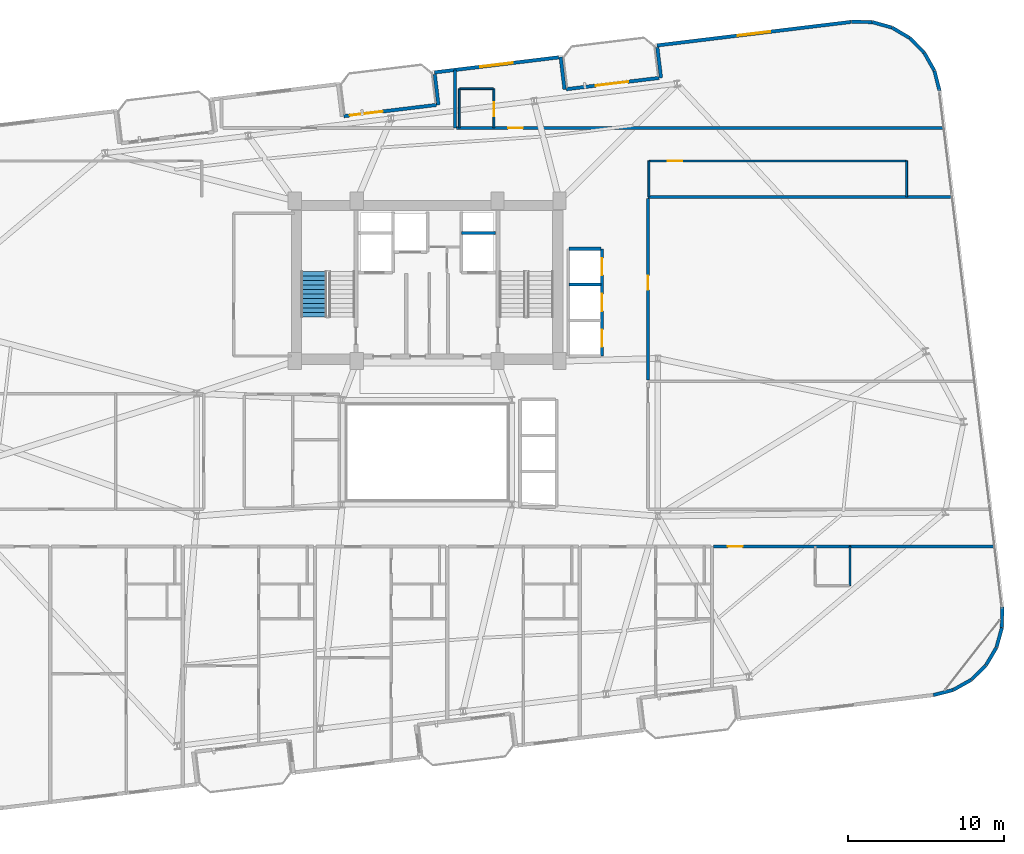
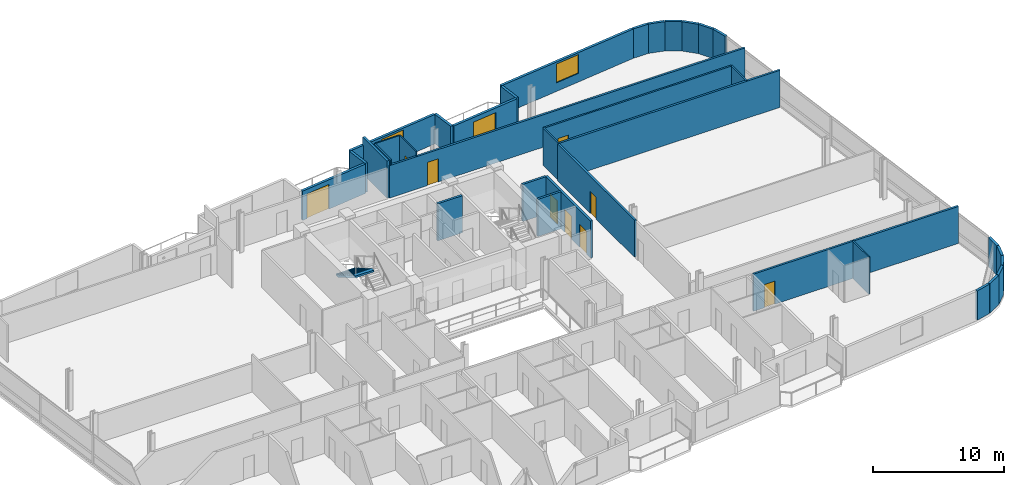
# One storey, part 19 of 24: 35 walls, 10 doors, 2 windows, 1 stair flight, 12 openings, 1 element without a shape of its own.
"""IFC4 building model written with IfcOpenShell, lengths in metres."""

from ifc_helpers import new_model, si_unit, direction, frame, frame_2d, origin, place, context, subcontext, project, spatial, polyline, rectangle, outline, extrude, material, layer, layer_set, type_object, element, fill, aggregate, save


model = new_model("IFC4")

# Units and contexts
model_context = context("Model", 3, precision=1e-05, world=origin(), true_north=direction((0.0, 1.0)))
body_context = subcontext(model_context, "Body", "Model", "MODEL_VIEW")
ifc_project = project(units=[si_unit("LENGTHUNIT", "METRE"), si_unit("AREAUNIT", "SQUARE_METRE"), si_unit("VOLUMEUNIT", "CUBIC_METRE"), si_unit("PLANEANGLEUNIT", "RADIAN"), si_unit("MASSUNIT", "GRAM", prefix="KILO")], contexts=[model_context])

# Site, building, storey
site_placement = place(None, origin())
site = spatial("IfcSite", under=ifc_project, at=site_placement, CompositionType="ELEMENT")
building_placement = place(site_placement, origin())
building = spatial("IfcBuilding", under=site, at=building_placement, Name="Varnelok Gate Tower", CompositionType="ELEMENT")
storey_placement = place(building_placement, frame((0.0, 0.0, 196.800048828125)))
storey = spatial("IfcBuildingStorey", under=building, at=storey_placement, Name="L50", CompositionType="ELEMENT", Elevation=196.800048828125)

# Wall, opening, door
ifc_material_1 = material(Name="Concrete C45/55", Category="concrete")
ifc_layer_1 = layer(ifc_material_1, 0.219970703125)
ifc_layer_set_1 = layer_set([ifc_layer_1], Name="Concrete C45/55")
wall_type_1 = type_object("IfcWallType", Name="EW-BALC-220", PredefinedType="SOLIDWALL", material=ifc_layer_set_1)
wall_1_placement = place(storey_placement, frame((33.852294921875, 44.48583984375, 0.0), z_axis=(0.0, 0.0, 1.0), x_axis=(0.992729951822, 0.120362962556, 0.0)))
wall_1 = element("IfcWall", 1, at=wall_1_placement, inside=storey, type_object=wall_type_1, Name="L50 North Terrace Envelope Wall 5", PredefinedType="SOLIDWALL", context=body_context, shape_type="SweptSolid", body=[
    extrude(rectangle(XDim=6.0, YDim=0.219970703125, at=frame_2d((3.0, 0.0))), origin(), (0.0, 0.0, 1.0), 2.72998046875),
])
opening_1_placement = place(wall_1_placement, frame((0.39990234375, 0.0, 0.0)))
opening_1 = element("IfcOpeningElement", 2, at=opening_1_placement, cuts=wall_1, Name="Opening BD-2", PredefinedType="OPENING", context=body_context, shape_type="SweptSolid", body=[
    extrude(rectangle(XDim=2.10009765625, YDim=2.300048828125, at=frame_2d((1.050048828125, 1.14990234375))), frame((0.0, 0.119873046875, 0.0), z_axis=(0.0, -1.0, 0.0), x_axis=(1.0, 0.0, 0.0)), (0.0, 0.0, 1.0), 0.239990234375),
])
ifc_material_2 = material(Name="Anodized Aluminum Alloy 6063-T6", Category="aluminium")
door_type_1 = type_object("IfcDoorType", Name="DR-EXT-SLID2100", OperationType="SLIDING_TO_LEFT", PredefinedType="DOOR", material=ifc_material_2)
door_1_placement = place(opening_1_placement, origin())
door_1 = element("IfcDoor", 3, at=door_1_placement, inside=storey, type_object=door_type_1, Name="L50 North Balcony Glazed Door 5", OperationType="SLIDING_TO_LEFT", OverallHeight=2.300048828125, OverallWidth=2.10009765625, PredefinedType="DOOR", context=body_context, shape_type="SweptSolid", body=[
    extrude(rectangle(XDim=2.10009765625, YDim=2.300048828125, at=frame_2d((1.050048828125, 1.14990234375))), frame((0.0, 0.02490234375, 0.0), z_axis=(0.0, -1.0, 0.0), x_axis=(1.0, 0.0, 0.0)), (0.0, 0.0, 1.0), 0.050048828125),
])
fill(opening_1, door_1)

wall_2_placement = place(storey_placement, frame((48.147705078125, 46.21875, 0.0), z_axis=(0.0, 0.0, 1.0), x_axis=(0.992729951822, 0.120362962556, 0.0)))
wall_2 = element("IfcWall", 4, at=wall_2_placement, inside=storey, type_object=wall_type_1, Name="L50 North Terrace Envelope Wall 6", PredefinedType="SOLIDWALL", context=body_context, shape_type="SweptSolid", body=[
    extrude(rectangle(XDim=6.0, YDim=0.219970703125, at=frame_2d((3.0, 0.0))), origin(), (0.0, 0.0, 1.0), 2.72998046875),
])
opening_2_placement = place(wall_2_placement, frame((1.887939453125, 0.0, 0.0)))
opening_2 = element("IfcOpeningElement", 5, at=opening_2_placement, cuts=wall_2, Name="Opening BD-2", PredefinedType="OPENING", context=body_context, shape_type="SweptSolid", body=[
    extrude(rectangle(XDim=2.10009765625, YDim=2.300048828125, at=frame_2d((1.050048828125, 1.14990234375))), frame((0.0, 0.119873046875, 0.0), z_axis=(0.0, -1.0, 0.0), x_axis=(1.0, 0.0, 0.0)), (0.0, 0.0, 1.0), 0.239990234375),
])
door_2_placement = place(opening_2_placement, origin())
door_2 = element("IfcDoor", 6, at=door_2_placement, inside=storey, type_object=door_type_1, Name="L50 North Balcony Glazed Door 6", OperationType="SLIDING_TO_LEFT", OverallHeight=2.300048828125, OverallWidth=2.10009765625, PredefinedType="DOOR", context=body_context, shape_type="SweptSolid", body=[
    extrude(rectangle(XDim=2.10009765625, YDim=2.300048828125, at=frame_2d((1.050048828125, 1.14990234375))), frame((0.0, 0.02490234375, 0.0), z_axis=(0.0, -1.0, 0.0), x_axis=(1.0, 0.0, 0.0)), (0.0, 0.0, 1.0), 0.050048828125),
])
fill(opening_2, door_2)

# Walls
wall_3_placement = place(storey_placement, frame((71.71875, 7.305908203125, 0.0), z_axis=(0.0, 0.0, 1.0), x_axis=(0.968541764193, 0.248851061909, 0.0)))
element("IfcWall", 7, at=wall_3_placement, inside=storey, type_object=wall_type_1, Name="L50 Perimeter Facade Closure Wall 17", PredefinedType="SOLIDWALL", context=body_context, shape_type="SweptSolid", body=[
    extrude(rectangle(XDim=1.308837890625, YDim=0.219970703125, at=frame_2d((0.654296875, 0.0))), origin(), (0.0, 0.0, 1.0), 2.72998046875),
])
for number, where, z_axis, x_axis, name in (
    (8, (73.00830078125, 7.64404296875, 0.0), (0.0, 0.0, 1.0), (0.87105877335, 0.491178799797, 0.0), "L50 Perimeter Facade Closure Wall 18"),
    (9, (74.1591796875, 8.30029296875, 0.0), (0.0, 0.0, 1.0), (0.714295394827, 0.699844331926, 0.0), "L50 Perimeter Facade Closure Wall 19"),
    (10, (75.101318359375, 9.232177734375, 0.0), (0.0, 0.0, 1.0), (0.508798863936, 0.860885425627, 0.0), "L50 Perimeter Facade Closure Wall 20"),
    (11, (75.77001953125, 10.376220703125, 0.0), (0.0, 0.0, 1.0), (0.26859243053, 0.963253915778, 0.0), "L50 Perimeter Facade Closure Wall 21"),
):
    element("IfcWall", number, at=place(storey_placement, frame(where, z_axis=z_axis, x_axis=x_axis)), inside=storey, type_object=wall_type_1, Name=name, PredefinedType="SOLIDWALL", context=body_context, shape_type="SweptSolid", body=[
        extrude(rectangle(XDim=1.30078125, YDim=0.219970703125, at=frame_2d((0.650390625, 0.0))), origin(), (0.0, 0.0, 1.0), 2.72998046875),
    ])
wall_4_placement = place(storey_placement, frame((76.11962890625, 11.654052734375, 0.0), z_axis=(0.0, 0.0, 1.0), x_axis=(0.01032033607, 0.999946743914, 0.0)))
element("IfcWall", 12, at=wall_4_placement, inside=storey, type_object=wall_type_1, Name="L50 Perimeter Facade Closure Wall 22", PredefinedType="SOLIDWALL", context=body_context, shape_type="SweptSolid", body=[
    extrude(rectangle(XDim=1.301025390625, YDim=0.219970703125, at=frame_2d((0.650390625, 0.0))), origin(), (0.0, 0.0, 1.0), 2.72998046875),
])
wall_5_placement = place(storey_placement, frame((72.113525390625, 46.1123046875, 0.0), z_axis=(0.0, 0.0, 1.0), x_axis=(-0.248942347653, 0.968518305219, 0.0)))
element("IfcWall", 13, at=wall_5_placement, inside=storey, type_object=wall_type_1, Name="L50 Perimeter Facade Closure Wall 23", PredefinedType="SOLIDWALL", context=body_context, shape_type="SweptSolid", body=[
    extrude(rectangle(XDim=1.325927734375, YDim=0.219970703125, at=frame_2d((0.6630859375, 0.0))), origin(), (0.0, 0.0, 1.0), 2.72998046875),
])
wall_6_placement = place(storey_placement, frame((71.771240234375, 47.418212890625, 0.0), z_axis=(0.0, 0.0, 1.0), x_axis=(-0.491098509465, 0.871104043155, 0.0)))
element("IfcWall", 14, at=wall_6_placement, inside=storey, type_object=wall_type_1, Name="L50 Perimeter Facade Closure Wall 24", PredefinedType="SOLIDWALL", context=body_context, shape_type="SweptSolid", body=[
    extrude(rectangle(XDim=1.301025390625, YDim=0.219970703125, at=frame_2d((0.650390625, 0.0))), origin(), (0.0, 0.0, 1.0), 2.72998046875),
])
wall_7_placement = place(storey_placement, frame((71.114990234375, 48.5693359375, 0.0), z_axis=(0.0, 0.0, 1.0), x_axis=(-0.699844331926, 0.714295394827, 0.0)))
element("IfcWall", 15, at=wall_7_placement, inside=storey, type_object=wall_type_1, Name="L50 Perimeter Facade Closure Wall 25", PredefinedType="SOLIDWALL", context=body_context, shape_type="SweptSolid", body=[
    extrude(rectangle(XDim=1.30078125, YDim=0.219970703125, at=frame_2d((0.650390625, 0.0))), origin(), (0.0, 0.0, 1.0), 2.72998046875),
])
wall_8_placement = place(storey_placement, frame((70.18310546875, 49.51123046875, 0.0), z_axis=(0.0, 0.0, 1.0), x_axis=(-0.860933999601, 0.508716668029, 0.0)))
element("IfcWall", 16, at=wall_8_placement, inside=storey, type_object=wall_type_1, Name="L50 Perimeter Facade Closure Wall 26", PredefinedType="SOLIDWALL", context=body_context, shape_type="SweptSolid", body=[
    extrude(rectangle(XDim=1.301025390625, YDim=0.219970703125, at=frame_2d((0.650390625, 0.0))), origin(), (0.0, 0.0, 1.0), 2.72998046875),
])
wall_9_placement = place(storey_placement, frame((69.0390625, 50.179931640625, 0.0), z_axis=(0.0, 0.0, 1.0), x_axis=(-0.963205341366, 0.26876657226, 0.0)))
element("IfcWall", 17, at=wall_9_placement, inside=storey, type_object=wall_type_1, Name="L50 Perimeter Facade Closure Wall 27", PredefinedType="SOLIDWALL", context=body_context, shape_type="SweptSolid", body=[
    extrude(rectangle(XDim=1.30078125, YDim=0.219970703125, at=frame_2d((0.650390625, 0.0))), origin(), (0.0, 0.0, 1.0), 2.72998046875),
])
wall_10_placement = place(storey_placement, frame((67.760986328125, 50.52978515625, 0.0), z_axis=(0.0, 0.0, 1.0), x_axis=(-0.999947358106, 0.010260653861, 0.0)))
element("IfcWall", 18, at=wall_10_placement, inside=storey, type_object=wall_type_1, Name="L50 Perimeter Facade Closure Wall 28", PredefinedType="SOLIDWALL", context=body_context, shape_type="SweptSolid", body=[
    extrude(rectangle(XDim=1.30859375, YDim=0.219970703125, at=frame_2d((0.654296875, 0.0))), origin(), (0.0, 0.0, 1.0), 2.72998046875),
])

# Wall, opening, window
wall_11_placement = place(storey_placement, frame((66.427490234375, 50.5400390625, 0.0), z_axis=(0.0, 0.0, 1.0), x_axis=(-0.992731739233, -0.120348219431, 0.0)))
wall_11 = element("IfcWall", 19, at=wall_11_placement, inside=storey, type_object=wall_type_1, Name="L50 Perimeter Facade Closure Wall 29", PredefinedType="SOLIDWALL", context=body_context, shape_type="SweptSolid", body=[
    extrude(rectangle(XDim=12.547119140625, YDim=0.219970703125, at=frame_2d((6.2734375, 0.0))), origin(), (0.0, 0.0, 1.0), 2.72998046875),
])
opening_3_placement = place(wall_11_placement, frame((5.2236328125, 0.0, 0.800048828125)))
opening_3 = element("IfcOpeningElement", 20, at=opening_3_placement, cuts=wall_11, Name="Opening WN4", PredefinedType="OPENING", context=body_context, shape_type="SweptSolid", body=[
    extrude(rectangle(XDim=2.10009765625, YDim=1.75, at=frame_2d((1.050048828125, 0.875))), frame((0.0, 0.119873046875, 0.0), z_axis=(0.0, -1.0, 0.0), x_axis=(1.0, 0.0, 0.0)), (0.0, 0.0, 1.0), 0.239990234375),
])
ifc_material_3 = material(Name="Low-E Laminated Double Glazing IGU", Category="glass")
window_type = type_object("IfcWindowType", Name="WN-SUI-2100", PartitioningType="SINGLE_PANEL", PredefinedType="WINDOW", material=ifc_material_3)
window_1_placement = place(opening_3_placement, origin())
window_1 = element("IfcWindow", 21, at=window_1_placement, inside=storey, type_object=window_type, Name="L50 Perimeter Vision Window 29", OverallHeight=1.75, OverallWidth=2.10009765625, PartitioningType="SINGLE_PANEL", PredefinedType="WINDOW", context=body_context, shape_type="SweptSolid", body=[
    extrude(rectangle(XDim=2.10009765625, YDim=1.75, at=frame_2d((1.050048828125, 0.875))), frame((0.0, 0.030029296875, 0.0), z_axis=(0.0, -1.0, 0.0), x_axis=(1.0, 0.0, 0.0)), (0.0, 0.0, 1.0), 0.06005859375),
])
fill(opening_3, window_1)

# Walls
wall_12_placement = place(storey_placement, frame((53.986572265625, 48.906005859375, 0.0), z_axis=(0.0, 0.0, 1.0), x_axis=(0.120397815541, -0.992725725472, 0.0)))
element("IfcWall", 22, at=wall_12_placement, inside=storey, type_object=wall_type_1, Name="L50 Perimeter Facade Closure Wall 30", PredefinedType="SOLIDWALL", context=body_context, shape_type="SweptSolid", body=[
    extrude(rectangle(XDim=1.97509765625, YDim=0.219970703125, at=frame_2d((0.987548828125, 0.0))), origin(), (0.0, 0.0, 1.0), 2.72998046875),
])
wall_13_placement = place(storey_placement, frame((48.029541015625, 46.1943359375, 0.0), z_axis=(0.0, 0.0, 1.0), x_axis=(-0.120314009587, 0.992735885871, 0.0)))
element("IfcWall", 23, at=wall_13_placement, inside=storey, type_object=wall_type_1, Name="L50 Perimeter Facade Closure Wall 31", PredefinedType="SOLIDWALL", context=body_context, shape_type="SweptSolid", body=[
    extrude(rectangle(XDim=2.10009765625, YDim=0.219970703125, at=frame_2d((1.050048828125, 0.0))), origin(), (0.0, 0.0, 1.0), 2.72998046875),
])

# Wall, opening, window
wall_14_placement = place(storey_placement, frame((47.65283203125, 48.26416015625, 0.0), z_axis=(0.0, 0.0, 1.0), x_axis=(-0.992731032022, -0.120354052946, 0.0)))
wall_14 = element("IfcWall", 24, at=wall_14_placement, inside=storey, type_object=wall_type_1, Name="L50 Perimeter Facade Closure Wall 32", PredefinedType="SOLIDWALL", context=body_context, shape_type="SweptSolid", body=[
    extrude(rectangle(XDim=8.034912109375, YDim=0.219970703125, at=frame_2d((4.017578125, 0.0))), origin(), (0.0, 0.0, 1.0), 2.72998046875),
])
opening_4_placement = place(wall_14_placement, frame((2.967529296875, 0.0, 0.800048828125)))
opening_4 = element("IfcOpeningElement", 25, at=opening_4_placement, cuts=wall_14, Name="Opening WN4", PredefinedType="OPENING", context=body_context, shape_type="SweptSolid", body=[
    extrude(rectangle(XDim=2.10009765625, YDim=1.75, at=frame_2d((1.050048828125, 0.875))), frame((0.0, 0.119873046875, 0.0), z_axis=(0.0, -1.0, 0.0), x_axis=(1.0, 0.0, 0.0)), (0.0, 0.0, 1.0), 0.239990234375),
])
window_2_placement = place(opening_4_placement, origin())
window_2 = element("IfcWindow", 26, at=window_2_placement, inside=storey, type_object=window_type, Name="L50 Perimeter Vision Window 32", OverallHeight=1.75, OverallWidth=2.10009765625, PartitioningType="SINGLE_PANEL", PredefinedType="WINDOW", context=body_context, shape_type="SweptSolid", body=[
    extrude(rectangle(XDim=2.10009765625, YDim=1.75, at=frame_2d((1.050048828125, 0.875))), frame((0.0, 0.030029296875, 0.0), z_axis=(0.0, -1.0, 0.0), x_axis=(1.0, 0.0, 0.0)), (0.0, 0.0, 1.0), 0.06005859375),
])
fill(opening_4, window_2)

# Wall
wall_15_placement = place(storey_placement, frame((39.691162109375, 47.173095703125, 0.0), z_axis=(0.0, 0.0, 1.0), x_axis=(0.120397815541, -0.992725725472, 0.0)))
element("IfcWall", 27, at=wall_15_placement, inside=storey, type_object=wall_type_1, Name="L50 Perimeter Facade Closure Wall 33", PredefinedType="SOLIDWALL", context=body_context, shape_type="SweptSolid", body=[
    extrude(rectangle(XDim=1.97509765625, YDim=0.219970703125, at=frame_2d((0.987548828125, 0.0))), origin(), (0.0, 0.0, 1.0), 2.72998046875),
])

# Wall, opening, door
ifc_material_4 = material(Name="Gypsum Plasterboard Acoustic Partition", Category="gypsum")
ifc_layer_2 = layer(ifc_material_4, 0.179931640625)
ifc_layer_set_2 = layer_set([ifc_layer_2], Name="Gypsum Plasterboard Acoustic Partition")
wall_type_2 = type_object("IfcWallType", Name="PW-CORR-180", PredefinedType="PARTITIONING", material=ifc_layer_set_2)
wall_16_placement = place(storey_placement, frame((57.580078125, 16.85009765625, 0.0), z_axis=(0.0, 0.0, 1.0), x_axis=(1.0, 0.0, 0.0)))
wall_16 = element("IfcWall", 28, at=wall_16_placement, inside=storey, type_object=wall_type_2, Name="Interior Partition", PredefinedType="PARTITIONING", context=body_context, shape_type="SweptSolid", body=[
    extrude(rectangle(XDim=18.021728515625, YDim=0.179931640625, at=frame_2d((9.0107421875, 0.0))), origin(), (0.0, 0.0, 1.0), 3.449951171875),
])
opening_5_placement = place(wall_16_placement, frame((0.9345703125, 0.0, 0.0)))
opening_5 = element("IfcOpeningElement", 29, at=opening_5_placement, cuts=wall_16, Name="Opening D-HT", PredefinedType="OPENING", context=body_context, shape_type="SweptSolid", body=[
    extrude(rectangle(XDim=0.949951171875, YDim=2.14990234375, at=frame_2d((0.47509765625, 1.074951171875))), frame((0.0, 0.099853515625, 0.0), z_axis=(0.0, -1.0, 0.0), x_axis=(1.0, 0.0, 0.0)), (0.0, 0.0, 1.0), 0.199951171875),
])
ifc_material_5 = material(Name="Engineered Hardwood Timber", Category="wood")
door_type_2 = type_object("IfcDoorType", Name="DR-HTL-950", OperationType="NOTDEFINED", PredefinedType="DOOR", material=ifc_material_5)
door_3_placement = place(opening_5_placement, origin())
door_3 = element("IfcDoor", 30, at=door_3_placement, inside=storey, type_object=door_type_2, Name="L50 Guest Room 07 Entrance Door", OperationType="SINGLE_SWING_RIGHT", OverallHeight=2.14990234375, OverallWidth=0.949951171875, PredefinedType="DOOR", context=body_context, shape_type="SweptSolid", body=[
    extrude(rectangle(XDim=0.949951171875, YDim=2.14990234375, at=frame_2d((0.47509765625, 1.074951171875))), frame((0.0, 0.02490234375, 0.0), z_axis=(0.0, -1.0, 0.0), x_axis=(1.0, 0.0, 0.0)), (0.0, 0.0, 1.0), 0.050048828125),
])
fill(opening_5, door_3)

wall_17_placement = place(storey_placement, frame((41.080078125, 43.72998046875, 0.0), z_axis=(0.0, 0.0, 1.0), x_axis=(1.0, 0.0, 0.0)))
wall_17 = element("IfcWall", 31, at=wall_17_placement, inside=storey, type_object=wall_type_2, Name="Interior Partition", PredefinedType="PARTITIONING", context=body_context, shape_type="SweptSolid", body=[
    extrude(rectangle(XDim=31.26318359375, YDim=0.179931640625, at=frame_2d((15.631591796875, 0.0))), origin(), (0.0, 0.0, 1.0), 3.01806640625),
])
opening_6_placement = place(wall_17_placement, frame((3.328857421875, 0.0, 0.0)))
opening_6 = element("IfcOpeningElement", 32, at=opening_6_placement, cuts=wall_17, Name="Opening D-HT", PredefinedType="OPENING", context=body_context, shape_type="SweptSolid", body=[
    extrude(rectangle(XDim=0.949951171875, YDim=2.14990234375, at=frame_2d((0.47509765625, 1.074951171875))), frame((0.0, 0.099853515625, 0.0), z_axis=(0.0, -1.0, 0.0), x_axis=(1.0, 0.0, 0.0)), (0.0, 0.0, 1.0), 0.199951171875),
])
door_4_placement = place(opening_6_placement, origin())
door_4 = element("IfcDoor", 33, at=door_4_placement, inside=storey, type_object=door_type_2, Name="L50 Guest Room 10 Entrance Door", OperationType="SINGLE_SWING_LEFT", OverallHeight=2.14990234375, OverallWidth=0.949951171875, PredefinedType="DOOR", context=body_context, shape_type="SweptSolid", body=[
    extrude(rectangle(XDim=0.949951171875, YDim=2.14990234375, at=frame_2d((0.47509765625, 1.074951171875))), frame((0.0, 0.02490234375, 0.0), z_axis=(0.0, -1.0, 0.0), x_axis=(1.0, 0.0, 0.0)), (0.0, 0.0, 1.0), 0.050048828125),
])
fill(opening_6, door_4)

wall_18_placement = place(storey_placement, frame((53.389892578125, 27.530029296875, 0.0), z_axis=(0.0, 0.0, 1.0), x_axis=(0.0, 1.0, 0.0)))
wall_18 = element("IfcWall", 34, at=wall_18_placement, inside=storey, type_object=wall_type_2, Name="Interior Partition", PredefinedType="PARTITIONING", context=body_context, shape_type="SweptSolid", body=[
    extrude(rectangle(XDim=11.669921875, YDim=0.179931640625, at=frame_2d((5.8349609375, 0.0))), origin(), (0.0, 0.0, 1.0), 3.449951171875),
])
opening_7_placement = place(wall_18_placement, frame((5.800048828125, 0.0, 0.0)))
opening_7 = element("IfcOpeningElement", 35, at=opening_7_placement, cuts=wall_18, Name="Opening D-I3", PredefinedType="OPENING", context=body_context, shape_type="SweptSolid", body=[
    extrude(rectangle(XDim=0.919921875, YDim=2.050048828125, at=frame_2d((0.4599609375, 1.02490234375))), frame((0.0, 0.099853515625, 0.0), z_axis=(0.0, -1.0, 0.0), x_axis=(1.0, 0.0, 0.0)), (0.0, 0.0, 1.0), 0.199951171875),
])
door_type_3 = type_object("IfcDoorType", Name="DR-INT-920", OperationType="NOTDEFINED", PredefinedType="DOOR", material=ifc_material_5)
door_5_placement = place(opening_7_placement, origin())
door_5 = element("IfcDoor", 36, at=door_5_placement, inside=storey, type_object=door_type_3, Name="L50 East Suite 2 Door", OperationType="SINGLE_SWING_RIGHT", OverallHeight=2.050048828125, OverallWidth=0.919921875, PredefinedType="DOOR", context=body_context, shape_type="SweptSolid", body=[
    extrude(rectangle(XDim=0.919921875, YDim=2.050048828125, at=frame_2d((0.4599609375, 1.02490234375))), frame((0.0, 0.02490234375, 0.0), z_axis=(0.0, -1.0, 0.0), x_axis=(1.0, 0.0, 0.0)), (0.0, 0.0, 1.0), 0.050048828125),
])
fill(opening_7, door_5)

# Walls
wall_19_placement = place(storey_placement, frame((53.389892578125, 39.300048828125, 0.0), z_axis=(0.0, 0.0, 1.0), x_axis=(1.0, 0.0, 0.0)))
element("IfcWall", 37, at=wall_19_placement, inside=storey, type_object=wall_type_2, Name="Interior Partition", PredefinedType="PARTITIONING", context=body_context, shape_type="SweptSolid", body=[
    extrude(rectangle(XDim=19.490234375, YDim=0.179931640625, at=frame_2d((9.7451171875, 0.0))), origin(), (0.0, 0.0, 1.0), 3.449951171875),
])
ifc_layer_3 = layer(ifc_material_4, 0.114990234375)
ifc_layer_set_3 = layer_set([ifc_layer_3], Name="Gypsum Plasterboard Acoustic Partition")
wall_type_3 = type_object("IfcWallType", Name="PW-ENS-125", PredefinedType="PARTITIONING", material=ifc_layer_set_3)
wall_20_placement = place(storey_placement, frame((66.360107421875, 14.330078125, 0.0), z_axis=(0.0, 0.0, 1.0), x_axis=(0.0, 1.0, 0.0)))
element("IfcWall", 38, at=wall_20_placement, inside=storey, type_object=wall_type_3, Name="Interior Partition", PredefinedType="PARTITIONING", context=body_context, shape_type="SweptSolid", body=[
    extrude(rectangle(XDim=2.52001953125, YDim=0.114990234375, at=frame_2d((1.260009765625, 0.0))), origin(), (0.0, 0.0, 1.0), 3.449951171875),
])
wall_21_placement = place(storey_placement, frame((41.300048828125, 46.25, 0.0), z_axis=(0.0, 0.0, 1.0), x_axis=(1.0, 0.0, 0.0)))
element("IfcWall", 39, at=wall_21_placement, inside=storey, type_object=wall_type_3, Name="Interior Partition", PredefinedType="PARTITIONING", context=body_context, shape_type="SweptSolid", body=[
    extrude(rectangle(XDim=2.14990234375, YDim=0.114990234375, at=frame_2d((1.074951171875, 0.0))), origin(), (0.0, 0.0, 1.0), 3.449951171875),
])

# Wall, opening, door
wall_22_placement = place(storey_placement, frame((43.489990234375, 43.72998046875, 0.0), z_axis=(0.0, 0.0, 1.0), x_axis=(0.0, 1.0, 0.0)))
wall_22 = element("IfcWall", 40, at=wall_22_placement, inside=storey, type_object=wall_type_3, Name="Interior Partition", PredefinedType="PARTITIONING", context=body_context, shape_type="SweptSolid", body=[
    extrude(rectangle(XDim=2.52001953125, YDim=0.114990234375, at=frame_2d((1.260009765625, 0.0))), origin(), (0.0, 0.0, 1.0), 3.449951171875),
])
opening_8_placement = place(wall_22_placement, frame((0.760009765625, 0.0, 0.0)))
opening_8 = element("IfcOpeningElement", 41, at=opening_8_placement, cuts=wall_22, Name="Opening D-WC", PredefinedType="OPENING", context=body_context, shape_type="SweptSolid", body=[
    extrude(rectangle(XDim=0.89990234375, YDim=2.050048828125, at=frame_2d((0.449951171875, 1.02490234375))), frame((0.0, 0.0673828125, 0.0), z_axis=(0.0, -1.0, 0.0), x_axis=(1.0, 0.0, 0.0)), (0.0, 0.0, 1.0), 0.135009765625),
])
door_type_4 = type_object("IfcDoorType", Name="DR-BATH-900", OperationType="NOTDEFINED", PredefinedType="DOOR", material=ifc_material_5)
door_6_placement = place(opening_8_placement, origin())
door_6 = element("IfcDoor", 42, at=door_6_placement, inside=storey, type_object=door_type_4, Name="L50 North En-Suite 10 Door", OperationType="SINGLE_SWING_RIGHT", OverallHeight=2.050048828125, OverallWidth=0.89990234375, PredefinedType="DOOR", context=body_context, shape_type="SweptSolid", body=[
    extrude(rectangle(XDim=0.89990234375, YDim=2.050048828125, at=frame_2d((0.449951171875, 1.02490234375))), frame((0.0, 0.02490234375, 0.0), z_axis=(0.0, -1.0, 0.0), x_axis=(1.0, 0.0, 0.0)), (0.0, 0.0, 1.0), 0.050048828125),
])
fill(opening_8, door_6)

# Walls
wall_23_placement = place(storey_placement, frame((41.260009765625, 43.72998046875, 0.0), z_axis=(0.0, 0.0, 1.0), x_axis=(0.0, 1.0, 0.0)))
element("IfcWall", 43, at=wall_23_placement, inside=storey, type_object=wall_type_3, Name="Interior Partition", PredefinedType="PARTITIONING", context=body_context, shape_type="SweptSolid", body=[
    extrude(rectangle(XDim=2.52001953125, YDim=0.114990234375, at=frame_2d((1.260009765625, 0.0))), origin(), (0.0, 0.0, 1.0), 3.449951171875),
])
ifc_layer_4 = layer(ifc_material_4, 0.125)
ifc_layer_set_4 = layer_set([ifc_layer_4], Name="Gypsum Plasterboard Acoustic Partition")
wall_type_4 = type_object("IfcWallType", Name="PW-PART-125", PredefinedType="PARTITIONING", material=ifc_layer_set_4)
for number, where, z_axis, x_axis, name in (
    (44, (53.449951171875, 39.300048828125, 0.0), (0.0, 0.0, 1.0), (0.0, 1.0, 0.0), "Interior Partition"),
    (45, (70.0, 39.300048828125, 0.0), (0.0, 0.0, 1.0), (0.0, 1.0, 0.0), "Interior Partition"),
):
    element("IfcWall", number, at=place(storey_placement, frame(where, z_axis=z_axis, x_axis=x_axis)), inside=storey, type_object=wall_type_4, Name=name, PredefinedType="PARTITIONING", context=body_context, shape_type="SweptSolid", body=[
        extrude(rectangle(XDim=2.31005859375, YDim=0.125, at=frame_2d((1.155029296875, 0.0))), origin(), (0.0, 0.0, 1.0), 3.449951171875),
    ])

# Wall, opening, door
ifc_layer_5 = layer(ifc_material_4, 0.14990234375)
ifc_layer_set_5 = layer_set([ifc_layer_5], Name="Gypsum Plasterboard Acoustic Partition")
wall_type_5 = type_object("IfcWallType", Name="PW-PART-150", PredefinedType="PARTITIONING", material=ifc_layer_set_5)
wall_24_placement = place(storey_placement, frame((53.449951171875, 41.610107421875, 0.0), z_axis=(0.0, 0.0, 1.0), x_axis=(1.0, 0.0, 0.0)))
wall_24 = element("IfcWall", 46, at=wall_24_placement, inside=storey, type_object=wall_type_5, Name="Interior Partition", PredefinedType="PARTITIONING", context=body_context, shape_type="SweptSolid", body=[
    extrude(rectangle(XDim=16.550048828125, YDim=0.14990234375, at=frame_2d((8.27490234375, 0.0))), origin(), (0.0, 0.0, 1.0), 3.449951171875),
])
opening_9_placement = place(wall_24_placement, frame((1.219970703125, 0.0, 0.0)))
opening_9 = element("IfcOpeningElement", 47, at=opening_9_placement, cuts=wall_24, Name="Opening D-I3", PredefinedType="OPENING", context=body_context, shape_type="SweptSolid", body=[
    extrude(rectangle(XDim=0.919921875, YDim=2.050048828125, at=frame_2d((0.4599609375, 1.02490234375))), frame((0.0, 0.0849609375, 0.0), z_axis=(0.0, -1.0, 0.0), x_axis=(1.0, 0.0, 0.0)), (0.0, 0.0, 1.0), 0.169921875),
])
door_7_placement = place(opening_9_placement, origin())
door_7 = element("IfcDoor", 48, at=door_7_placement, inside=storey, type_object=door_type_3, Name="L50 North Study 2 Door", OperationType="SINGLE_SWING_RIGHT", OverallHeight=2.050048828125, OverallWidth=0.919921875, PredefinedType="DOOR", context=body_context, shape_type="SweptSolid", body=[
    extrude(rectangle(XDim=0.919921875, YDim=2.050048828125, at=frame_2d((0.4599609375, 1.02490234375))), frame((0.0, 0.02490234375, 0.0), z_axis=(0.0, -1.0, 0.0), x_axis=(1.0, 0.0, 0.0)), (0.0, 0.0, 1.0), 0.050048828125),
])
fill(opening_9, door_7)

# Walls
ifc_layer_6 = layer(ifc_material_4, 0.205078125)
ifc_layer_set_6 = layer_set([ifc_layer_6], Name="Gypsum Plasterboard Acoustic Partition")
wall_type_6 = type_object("IfcWallType", Name="PW-PARTY-200", PredefinedType="PARTITIONING", material=ifc_layer_set_6)
wall_25_placement = place(storey_placement, frame((41.0, 43.72998046875, 0.0), z_axis=(0.0, 0.0, 1.0), x_axis=(0.0, 1.0, 0.0)))
element("IfcWall", 49, at=wall_25_placement, inside=storey, type_object=wall_type_6, Name="L50 North Party Wall 2", PredefinedType="PARTITIONING", context=body_context, shape_type="SweptSolid", body=[
    extrude(rectangle(XDim=3.70751953125, YDim=0.205078125, at=frame_2d((1.853759765625, 0.0))), origin(), (0.0, 0.0, 1.0), 3.449951171875),
])
ifc_material_6 = material(Name="Concrete C35/45", Category="concrete")
ifc_layer_7 = layer(ifc_material_6, 0.199951171875)
ifc_layer_set_7 = layer_set([ifc_layer_7], Name="Concrete C35/45")
wall_type_7 = type_object("IfcWallType", Name="PW-SHAFT-200", PredefinedType="PARTITIONING", material=ifc_layer_set_7)
wall_26_placement = place(storey_placement, frame((41.419921875, 36.97998046875, 0.0), z_axis=(0.0, 0.0, 1.0), x_axis=(1.0, 0.0, 0.0)))
element("IfcWall", 50, at=wall_26_placement, inside=storey, type_object=wall_type_7, Name="L50 FF2 Shaft North Wall", PredefinedType="PARTITIONING", context=body_context, shape_type="SweptSolid", body=[
    extrude(rectangle(XDim=2.18017578125, YDim=0.199951171875, at=frame_2d((1.090087890625, 0.0))), origin(), (0.0, 0.0, 1.0), 3.449951171875),
])
for number, where, z_axis, x_axis, name in (
    (51, (48.320068359375, 33.675048828125, 0.0), (0.0, 0.0, 1.0), (1.0, 0.0, 0.0), "L50 PM2 Divider"),
    (52, (48.320068359375, 35.969970703125, 0.0), (0.0, 0.0, 1.0), (1.0, 0.0, 0.0), "L50 PM Bank North Wall"),
):
    element("IfcWall", number, at=place(storey_placement, frame(where, z_axis=z_axis, x_axis=x_axis)), inside=storey, type_object=wall_type_7, Name=name, PredefinedType="PARTITIONING", context=body_context, shape_type="SweptSolid", body=[
        extrude(rectangle(XDim=2.059814453125, YDim=0.199951171875, at=frame_2d((1.02978515625, 0.0))), origin(), (0.0, 0.0, 1.0), 3.449951171875),
    ])

# Wall, openings, doors
wall_27_placement = place(storey_placement, frame((50.43994140625, 29.080078125, 0.0), z_axis=(0.0, 0.0, 1.0), x_axis=(0.0, 1.0, 0.0)))
wall_27 = element("IfcWall", 53, at=wall_27_placement, inside=storey, type_object=wall_type_7, Name="L50 PM Bank Front Wall", PredefinedType="PARTITIONING", context=body_context, shape_type="SweptSolid", body=[
    extrude(rectangle(XDim=6.889892578125, YDim=0.199951171875, at=frame_2d((3.44482421875, 0.0))), origin(), (0.0, 0.0, 1.0), 3.449951171875),
])
opening_10_placement = place(wall_27_placement, frame((0.590087890625, 0.0, 0.0)))
opening_10 = element("IfcOpeningElement", 54, at=opening_10_placement, cuts=wall_27, Name="Opening LD-PM1", PredefinedType="OPENING", context=body_context, shape_type="SweptSolid", body=[
    extrude(rectangle(XDim=1.10009765625, YDim=2.14990234375, at=frame_2d((0.550048828125, 1.074951171875))), frame((0.0, 0.10986328125, 0.0), z_axis=(0.0, -1.0, 0.0), x_axis=(1.0, 0.0, 0.0)), (0.0, 0.0, 1.0), 0.219970703125),
])
opening_11_placement = place(wall_27_placement, frame((2.889892578125, 0.0, 0.0)))
opening_11 = element("IfcOpeningElement", 55, at=opening_11_placement, cuts=wall_27, Name="Opening LD-PM2", PredefinedType="OPENING", context=body_context, shape_type="SweptSolid", body=[
    extrude(rectangle(XDim=1.10009765625, YDim=2.14990234375, at=frame_2d((0.550048828125, 1.074951171875))), frame((0.0, 0.10986328125, 0.0), z_axis=(0.0, -1.0, 0.0), x_axis=(1.0, 0.0, 0.0)), (0.0, 0.0, 1.0), 0.219970703125),
])
opening_12_placement = place(wall_27_placement, frame((5.18994140625, 0.0, 0.0)))
opening_12 = element("IfcOpeningElement", 56, at=opening_12_placement, cuts=wall_27, Name="Opening LD-PM3", PredefinedType="OPENING", context=body_context, shape_type="SweptSolid", body=[
    extrude(rectangle(XDim=1.10009765625, YDim=2.14990234375, at=frame_2d((0.550048828125, 1.074951171875))), frame((0.0, 0.10986328125, 0.0), z_axis=(0.0, -1.0, 0.0), x_axis=(1.0, 0.0, 0.0)), (0.0, 0.0, 1.0), 0.219970703125),
])
ifc_material_7 = material(Name="Galvanized Steel Grade S350GD", Category="steel")
door_type_5 = type_object("IfcDoorType", Name="DR-LIFT-PAX1100", OperationType="SLIDING_TO_LEFT", PredefinedType="DOOR", material=ifc_material_7)
door_8_placement = place(opening_10_placement, origin())
door_8 = element("IfcDoor", 57, at=door_8_placement, inside=storey, type_object=door_type_5, Name="L50 Passenger Lift Landing Door LD-PM1", OperationType="SLIDING_TO_LEFT", OverallHeight=2.14990234375, OverallWidth=1.10009765625, PredefinedType="DOOR", context=body_context, shape_type="SweptSolid", body=[
    extrude(rectangle(XDim=1.10009765625, YDim=2.14990234375, at=frame_2d((0.550048828125, 1.074951171875))), frame((0.0, 0.02490234375, 0.0), z_axis=(0.0, -1.0, 0.0), x_axis=(1.0, 0.0, 0.0)), (0.0, 0.0, 1.0), 0.050048828125),
])
fill(opening_10, door_8)
door_9_placement = place(opening_11_placement, origin())
door_9 = element("IfcDoor", 58, at=door_9_placement, inside=storey, type_object=door_type_5, Name="L50 Passenger Lift Landing Door LD-PM2", OperationType="SLIDING_TO_LEFT", OverallHeight=2.14990234375, OverallWidth=1.10009765625, PredefinedType="DOOR", context=body_context, shape_type="SweptSolid", body=[
    extrude(rectangle(XDim=1.10009765625, YDim=2.14990234375, at=frame_2d((0.550048828125, 1.074951171875))), frame((0.0, 0.02490234375, 0.0), z_axis=(0.0, -1.0, 0.0), x_axis=(1.0, 0.0, 0.0)), (0.0, 0.0, 1.0), 0.050048828125),
])
fill(opening_11, door_9)
door_10_placement = place(opening_12_placement, origin())
door_10 = element("IfcDoor", 59, at=door_10_placement, inside=storey, type_object=door_type_5, Name="L50 Passenger Lift Landing Door LD-PM3", OperationType="SLIDING_TO_LEFT", OverallHeight=2.14990234375, OverallWidth=1.10009765625, PredefinedType="DOOR", context=body_context, shape_type="SweptSolid", body=[
    extrude(rectangle(XDim=1.10009765625, YDim=2.14990234375, at=frame_2d((0.550048828125, 1.074951171875))), frame((0.0, 0.02490234375, 0.0), z_axis=(0.0, -1.0, 0.0), x_axis=(1.0, 0.0, 0.0)), (0.0, 0.0, 1.0), 0.050048828125),
])
fill(opening_12, door_10)

# Stair, stair flight
ifc_material_8 = material(Name="Concrete C50/60", Category="concrete")
stair_type = type_object("IfcStairType", Name="STR-CORE-1650", PredefinedType="HALF_TURN_STAIR", material=ifc_material_8)
stair_placement = place(storey_placement, origin())
stair = element("IfcStair", 60, at=stair_placement, inside=storey, type_object=stair_type, Name="L50 Exit Stair ST-1", PredefinedType="HALF_TURN_STAIR")
stair_flight_type = type_object("IfcStairFlightType", Name="SFL-CORE-1650", PredefinedType="STRAIGHT", material=ifc_material_8)
stair_flight_placement = place(storey_placement, frame((31.925048828125, 34.5, 1.849853515625), z_axis=(0.0, 0.0, 1.0), x_axis=(0.0, -1.0, 0.0)))
stair_flight = element("IfcStairFlight", 61, at=stair_flight_placement, type_object=stair_flight_type, Name="ST-1 flight 2", NumberOfRisers=11, NumberOfTreads=10, PredefinedType="STRAIGHT", RiserHeight=0.168181818, TreadLength=0.29, context=body_context, shape_type="SweptSolid", body=[
    extrude(outline(polyline([(0.0, 0.0), (0.0, 0.168212890625), (0.2900390625, 0.168212890625), (0.2900390625, 0.33642578125), (0.580078125, 0.33642578125), (0.580078125, 0.504638671875), (0.8701171875, 0.504638671875), (0.8701171875, 0.672607421875), (1.159912109375, 0.672607421875), (1.159912109375, 0.8408203125), (1.449951171875, 0.8408203125), (1.449951171875, 1.009033203125), (1.739990234375, 1.009033203125), (1.739990234375, 1.17724609375), (2.030029296875, 1.17724609375), (2.030029296875, 1.345458984375), (2.320068359375, 1.345458984375), (2.320068359375, 1.513671875), (2.610107421875, 1.513671875), (2.610107421875, 1.681884765625), (2.89990234375, 1.681884765625), (2.89990234375, 1.85009765625), (2.89990234375, 1.508544921875), (0.298828125, 0.0), (0.0, 0.0)])), frame((0.0, 0.824951171875, 0.0), z_axis=(0.0, -1.0, 0.0), x_axis=(1.0, 0.0, 0.0)), (0.0, 0.0, 1.0), 1.64990234375),
])
aggregate(stair, [stair_flight])

save(model, "model.ifc")
